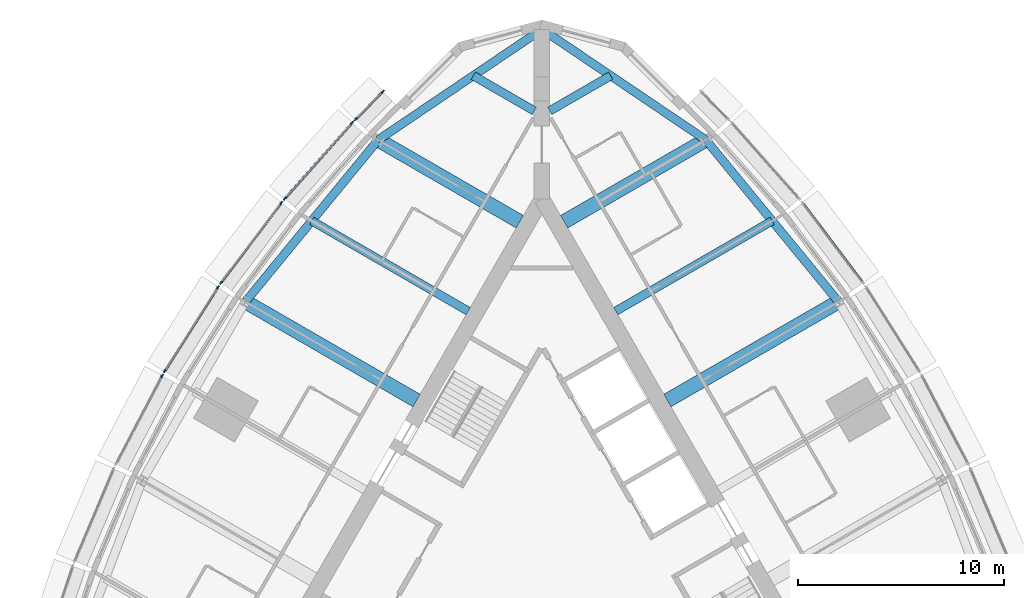
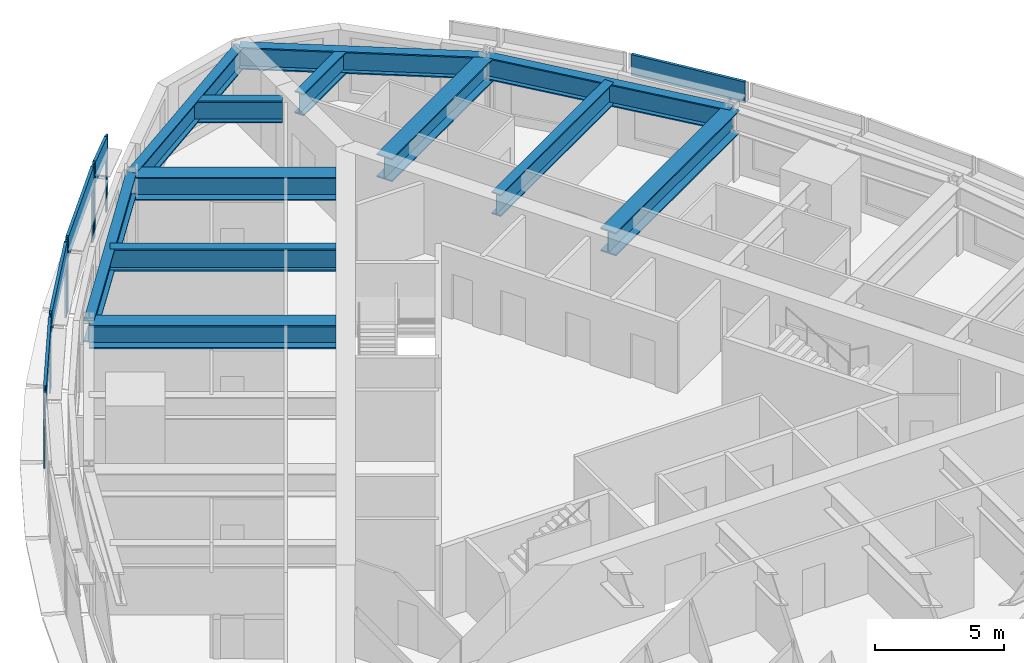
# One storey, part 5 of 15: 14 members, 12 beams, 6 elements without a shape of their own.
"""IFC4 building model written with IfcOpenShell, lengths in metres."""

from ifc_helpers import new_model, si_unit, direction, frame, origin, origin_2d, place, context, subcontext, project, spatial, rectangle, i_section, extrude, material, material_profile, profile_set, type_object, element, aggregate, save


model = new_model("IFC4")

# Units and contexts
model_context = context("Model", 3, precision=1e-05, world=origin(), true_north=direction((0.0, 1.0)))
body_context = subcontext(model_context, "Body", "Model", "MODEL_VIEW")
ifc_project = project(units=[si_unit("LENGTHUNIT", "METRE"), si_unit("AREAUNIT", "SQUARE_METRE"), si_unit("VOLUMEUNIT", "CUBIC_METRE"), si_unit("PLANEANGLEUNIT", "RADIAN"), si_unit("MASSUNIT", "GRAM", prefix="KILO")], contexts=[model_context])

# Site, building, storey
site_placement = place(None, origin())
site = spatial("IfcSite", under=ifc_project, at=site_placement, CompositionType="ELEMENT")
building_placement = place(site_placement, origin())
building = spatial("IfcBuilding", under=site, at=building_placement, Name="Trikona Tower", CompositionType="ELEMENT")
storey_placement = place(building_placement, frame((0.0, 0.0, 229.699951171875)))
storey = spatial("IfcBuildingStorey", under=building, at=storey_placement, Name="L61", CompositionType="ELEMENT", Elevation=229.699951171875)

# Curtain wall, members
ifc_material_1 = material(Name="Aluminium curtain wall system", Category="aluminium")
curtain_wall_type = type_object("IfcCurtainWallType", Name="Curtain wall DS3S", PredefinedType="NOTDEFINED", material=ifc_material_1)
curtain_wall_1_placement = place(storey_placement, origin())
curtain_wall_1 = element("IfcCurtainWall", 1, at=curtain_wall_1_placement, inside=storey, type_object=curtain_wall_type, Name="Curtain wall DS3S L61", PredefinedType="NOTDEFINED")
ifc_material_2 = material(Name="Aluminium mullion, pale anodised", Category="aluminium")
ifc_material_profile_1 = material_profile(ifc_material_2, rectangle(XDim=0.070068359375, YDim=0.179931640625, at=origin_2d()), Name="MUL-DS3S")
ifc_profile_set_1 = profile_set([ifc_material_profile_1], Name="Aluminium mullion, pale anodised")
member_type_1 = type_object("IfcMemberType", Name="Mullion DS3S 70x180", PredefinedType="MULLION", material=ifc_profile_set_1)
member_1_placement = place(storey_placement, frame((-7.7060546875, 24.237548828125, 0.0), z_axis=(0.0, 0.0, 1.0), x_axis=(0.710051900554, -0.704149343903, 0.0)))
member_1 = element("IfcMember", 2, at=member_1_placement, type_object=member_type_1, Name="CW-DS3S mullion 1", PredefinedType="MULLION", context=body_context, shape_type="SweptSolid", body=[
    extrude(rectangle(XDim=0.070068359375, YDim=0.179931640625, at=origin_2d()), origin(), (0.0, 0.0, 1.0), 3.60009765625),
])
member_2_placement = place(storey_placement, frame((-9.028564453125, 22.904052734375, 0.0), z_axis=(0.0, 0.0, 1.0), x_axis=(0.710051900554, -0.704149343903, 0.0)))
member_2 = element("IfcMember", 3, at=member_2_placement, type_object=member_type_1, Name="CW-DS3S mullion 2", PredefinedType="MULLION", context=body_context, shape_type="SweptSolid", body=[
    extrude(rectangle(XDim=0.070068359375, YDim=0.179931640625, at=origin_2d()), origin(), (0.0, 0.0, 1.0), 3.60009765625),
])

curtain_wall_2_placement = place(storey_placement, origin())
curtain_wall_2 = element("IfcCurtainWall", 4, at=curtain_wall_2_placement, inside=storey, type_object=curtain_wall_type, Name="Curtain wall DS3S L61", PredefinedType="NOTDEFINED")
member_3_placement = place(storey_placement, frame((-9.192138671875, 22.729736328125, 0.0), z_axis=(0.0, 0.0, 1.0), x_axis=(0.747402677853, -0.664371309689, 0.0)))
member_3 = element("IfcMember", 5, at=member_3_placement, type_object=member_type_1, Name="CW-DS3S mullion 1", PredefinedType="MULLION", context=body_context, shape_type="SweptSolid", body=[
    extrude(rectangle(XDim=0.070068359375, YDim=0.179931640625, at=origin_2d()), origin(), (0.0, 0.0, 1.0), 3.60009765625),
])
member_4_placement = place(storey_placement, frame((-12.45751953125, 19.056396484375, 0.0), z_axis=(0.0, 0.0, 1.0), x_axis=(0.747402677853, -0.664371309689, 0.0)))
member_4 = element("IfcMember", 6, at=member_4_placement, type_object=member_type_1, Name="CW-DS3S mullion 2", PredefinedType="MULLION", context=body_context, shape_type="SweptSolid", body=[
    extrude(rectangle(XDim=0.070068359375, YDim=0.179931640625, at=origin_2d()), origin(), (0.0, 0.0, 1.0), 3.60009765625),
])

curtain_wall_3_placement = place(storey_placement, origin())
curtain_wall_3 = element("IfcCurtainWall", 7, at=curtain_wall_3_placement, inside=storey, type_object=curtain_wall_type, Name="Curtain wall DS3S L61", PredefinedType="NOTDEFINED")
member_5_placement = place(storey_placement, frame((-12.62353515625, 18.853759765625, 0.0), z_axis=(0.0, 0.0, 1.0), x_axis=(0.798193208724, -0.602401528506, 0.0)))
member_5 = element("IfcMember", 8, at=member_5_placement, type_object=member_type_1, Name="CW-DS3S mullion 1", PredefinedType="MULLION", context=body_context, shape_type="SweptSolid", body=[
    extrude(rectangle(XDim=0.070068359375, YDim=0.179931640625, at=origin_2d()), origin(), (0.0, 0.0, 1.0), 3.60009765625),
])
member_6_placement = place(storey_placement, frame((-15.5439453125, 14.984130859375, 0.0), z_axis=(0.0, 0.0, 1.0), x_axis=(0.798193208724, -0.602401528506, 0.0)))
member_6 = element("IfcMember", 9, at=member_6_placement, type_object=member_type_1, Name="CW-DS3S mullion 2", PredefinedType="MULLION", context=body_context, shape_type="SweptSolid", body=[
    extrude(rectangle(XDim=0.070068359375, YDim=0.179931640625, at=origin_2d()), origin(), (0.0, 0.0, 1.0), 3.60009765625),
])

curtain_wall_4_placement = place(storey_placement, origin())
curtain_wall_4 = element("IfcCurtainWall", 10, at=curtain_wall_4_placement, inside=storey, type_object=curtain_wall_type, Name="Curtain wall DS3S L61", PredefinedType="NOTDEFINED")
member_7_placement = place(storey_placement, frame((-15.69384765625, 14.767578125, 0.0), z_axis=(0.0, 0.0, 1.0), x_axis=(0.844727131858, -0.535197227854, 0.0)))
member_7 = element("IfcMember", 11, at=member_7_placement, type_object=member_type_1, Name="CW-DS3S mullion 1", PredefinedType="MULLION", context=body_context, shape_type="SweptSolid", body=[
    extrude(rectangle(XDim=0.070068359375, YDim=0.179931640625, at=origin_2d()), origin(), (0.0, 0.0, 1.0), 3.60009765625),
])
member_8_placement = place(storey_placement, frame((-18.2705078125, 10.700927734375, 0.0), z_axis=(0.0, 0.0, 1.0), x_axis=(0.844727131858, -0.535197227854, 0.0)))
member_8 = element("IfcMember", 12, at=member_8_placement, type_object=member_type_1, Name="CW-DS3S mullion 2", PredefinedType="MULLION", context=body_context, shape_type="SweptSolid", body=[
    extrude(rectangle(XDim=0.070068359375, YDim=0.179931640625, at=origin_2d()), origin(), (0.0, 0.0, 1.0), 3.60009765625),
])

# Curtain wall, member
curtain_wall_5_placement = place(storey_placement, origin())
curtain_wall_5 = element("IfcCurtainWall", 13, at=curtain_wall_5_placement, inside=storey, type_object=curtain_wall_type, Name="Curtain wall DS3S L61", PredefinedType="NOTDEFINED")
member_9_placement = place(storey_placement, frame((-18.40234375, 10.472412109375, 0.0), z_axis=(0.0, 0.0, 1.0), x_axis=(0.885862390527, -0.463948084434, 0.0)))
member_9 = element("IfcMember", 14, at=member_9_placement, type_object=member_type_1, Name="CW-DS3S mullion 1", PredefinedType="MULLION", context=body_context, shape_type="SweptSolid", body=[
    extrude(rectangle(XDim=0.070068359375, YDim=0.179931640625, at=origin_2d()), origin(), (0.0, 0.0, 1.0), 3.60009765625),
])
aggregate(curtain_wall_5, [member_9])

# Beams
ifc_material_3 = material(Name="Steel ASTM A992 Grade 50", Category="steel")
ifc_material_profile_2 = material_profile(ifc_material_3, i_section(OverallWidth=0.699951171875, OverallDepth=1.10009765625, WebThickness=0.0400390625, FlangeThickness=0.06005859375, at=origin_2d()), Name="PG1100X700")
ifc_profile_set_2 = profile_set([ifc_material_profile_2], Name="Steel ASTM A992 Grade 50")
beam_type_1 = type_object("IfcBeamType", Name="Steel beam PG1100x700 (belt chord radial)", PredefinedType="BEAM", material=ifc_profile_set_2)
beam_1_placement = place(storey_placement, frame((6.07470703125, 9.28076171875, 2.800048828125), z_axis=(0.866025863714, 0.499999203377, 0.0), x_axis=(-0.499999203377, 0.866025863714, 0.0)))
element("IfcBeam", 15, at=beam_1_placement, inside=storey, type_object=beam_type_1, Name="Floor beam L62 F2 u5", PredefinedType="BEAM", context=body_context, shape_type="SweptSolid", body=[
    extrude(i_section(OverallWidth=0.699951171875, OverallDepth=1.10009765625, WebThickness=0.0400390625, FlangeThickness=0.06005859375, at=origin_2d()), origin(), (0.0, 0.0, 1.0), 9.57080078125),
])
for number, where, z_axis, x_axis, name in (
    (16, (1.07470703125, 17.94091796875, 2.800048828125), (0.866019853763, 0.500009612796, 0.0), (-0.500009612796, 0.866019853763, 0.0), "Floor beam L62 F2 u15"),
    (17, (-1.07470703125, 17.94091796875, 2.800048828125), (-0.866019853763, 0.500009612796, 0.0), (-0.500009612796, -0.866019853763, 0.0), "Floor beam L62 F3 u-15"),
):
    element("IfcBeam", number, at=place(storey_placement, frame(where, z_axis=z_axis, x_axis=x_axis)), inside=storey, type_object=beam_type_1, Name=name, PredefinedType="BEAM", context=body_context, shape_type="SweptSolid", body=[
        extrude(i_section(OverallWidth=0.699951171875, OverallDepth=1.10009765625, WebThickness=0.0400390625, FlangeThickness=0.06005859375, at=origin_2d()), origin(), (0.0, 0.0, 1.0), 7.923583984375),
    ])
beam_2_placement = place(storey_placement, frame((-6.07470703125, 9.28076171875, 2.800048828125), z_axis=(-0.866025863714, 0.499999203377, 0.0), x_axis=(-0.499999203377, -0.866025863714, 0.0)))
element("IfcBeam", 18, at=beam_2_placement, inside=storey, type_object=beam_type_1, Name="Floor beam L62 F3 u-5", PredefinedType="BEAM", context=body_context, shape_type="SweptSolid", body=[
    extrude(i_section(OverallWidth=0.699951171875, OverallDepth=1.10009765625, WebThickness=0.0400390625, FlangeThickness=0.06005859375, at=origin_2d()), origin(), (0.0, 0.0, 1.0), 9.57080078125),
])
ifc_material_4 = material(Name="Steel ASTM A992 Grade 50", Category="steel")
ifc_material_profile_3 = material_profile(ifc_material_4, i_section(OverallWidth=0.408935546875, OverallDepth=1.04150390625, WebThickness=0.031005859375, FlangeThickness=0.055908203125, at=origin_2d()), Name="W40X397")
ifc_profile_set_3 = profile_set([ifc_material_profile_3], Name="Steel ASTM A992 Grade 50")
beam_type_2 = type_object("IfcBeamType", Name="Steel beam W40x397 (plant spandrel)", PredefinedType="SPANDREL", material=ifc_profile_set_3)
beam_3_placement = place(storey_placement, frame((14.36328125, 14.066162109375, 2.829345703125), z_axis=(-0.634105803308, 0.77324629337, 0.0), x_axis=(-0.77324629337, -0.634105803308, 0.0)))
element("IfcBeam", 19, at=beam_3_placement, inside=storey, type_object=beam_type_2, Name="Spandrel beam L62 F2-4", PredefinedType="SPANDREL", context=body_context, shape_type="SweptSolid", body=[
    extrude(i_section(OverallWidth=0.408935546875, OverallDepth=1.04150390625, WebThickness=0.031005859375, FlangeThickness=0.055908203125, at=origin_2d()), origin(), (0.0, 0.0, 1.0), 10.134765625),
])
for number, where, z_axis, x_axis, name in (
    (20, (7.936767578125, 21.90283203125, 2.829345703125), (-0.828725418029, 0.55965541319, 0.0), (-0.55965541319, -0.828725418029, 0.0), "Spandrel beam L62 F2-5"),
    (21, (0.0, 27.2626953125, 2.829345703125), (-0.828725418029, -0.55965541319, 0.0), (0.55965541319, -0.828725418029, 0.0), "Spandrel beam L62 F3-1"),
):
    element("IfcBeam", number, at=place(storey_placement, frame(where, z_axis=z_axis, x_axis=x_axis)), inside=storey, type_object=beam_type_2, Name=name, PredefinedType="SPANDREL", context=body_context, shape_type="SweptSolid", body=[
        extrude(i_section(OverallWidth=0.408935546875, OverallDepth=1.04150390625, WebThickness=0.031005859375, FlangeThickness=0.055908203125, at=origin_2d()), origin(), (0.0, 0.0, 1.0), 9.5771484375),
    ])
beam_4_placement = place(storey_placement, frame((-7.936767578125, 21.90283203125, 2.829345703125), z_axis=(-0.634105803308, -0.77324629337, 0.0), x_axis=(0.77324629337, -0.634105803308, 0.0)))
element("IfcBeam", 22, at=beam_4_placement, inside=storey, type_object=beam_type_2, Name="Spandrel beam L62 F3-2", PredefinedType="SPANDREL", context=body_context, shape_type="SweptSolid", body=[
    extrude(i_section(OverallWidth=0.408935546875, OverallDepth=1.04150390625, WebThickness=0.031005859375, FlangeThickness=0.055908203125, at=origin_2d()), origin(), (0.0, 0.0, 1.0), 10.134765625),
])
ifc_material_5 = material(Name="Steel ASTM A992 Grade 50", Category="steel")
ifc_material_profile_4 = material_profile(ifc_material_5, i_section(OverallWidth=0.408935546875, OverallDepth=1.04150390625, WebThickness=0.031005859375, FlangeThickness=0.055908203125, at=origin_2d()), Name="W40X397")
ifc_profile_set_4 = profile_set([ifc_material_profile_4], Name="Steel ASTM A992 Grade 50")
beam_type_3 = type_object("IfcBeamType", Name="Steel beam W40x397 (plant)", PredefinedType="BEAM", material=ifc_profile_set_4)
for number, where, z_axis, x_axis, name in (
    (23, (3.57470703125, 13.61083984375, 2.829345703125), (0.866013609749, 0.500020427312, 0.0), (-0.500020427312, 0.866013609749, 0.0), "Floor beam L62 F2 u10"),
    (24, (-3.57470703125, 13.61083984375, 2.829345703125), (-0.866013609749, 0.500020427312, 0.0), (-0.500020427312, -0.866013609749, 0.0), "Floor beam L62 F3 u-10"),
):
    element("IfcBeam", number, at=place(storey_placement, frame(where, z_axis=z_axis, x_axis=x_axis)), inside=storey, type_object=beam_type_3, Name=name, PredefinedType="BEAM", context=body_context, shape_type="SweptSolid", body=[
        extrude(i_section(OverallWidth=0.408935546875, OverallDepth=1.04150390625, WebThickness=0.031005859375, FlangeThickness=0.055908203125, at=origin_2d()), origin(), (0.0, 0.0, 1.0), 8.747314453125),
    ])
ifc_material_6 = material(Name="Steel ASTM A992 Grade 50", Category="steel")
ifc_material_profile_5 = material_profile(ifc_material_6, i_section(OverallWidth=0.411376953125, OverallDepth=1.049072265625, WebThickness=0.033935546875, FlangeThickness=0.06005859375, at=origin_2d()), Name="W40X431")
ifc_profile_set_5 = profile_set([ifc_material_profile_5], Name="Steel ASTM A992 Grade 50")
beam_type_4 = type_object("IfcBeamType", Name="Steel beam W40x431 (plant wedge)", PredefinedType="BEAM", material=ifc_profile_set_5)
for number, where, z_axis, x_axis, name in (
    (25, (0.375, 23.310546875, 2.825439453125), (0.866027000698, 0.499997234054, 0.0), (-0.499997234054, 0.866027000698, 0.0), "Floor beam L62 F2 u20"),
    (26, (-0.375, 23.310546875, 2.825439453125), (-0.866027000698, 0.499997234054, 0.0), (-0.499997234054, -0.866027000698, 0.0), "Floor beam L62 F3 u-20"),
):
    element("IfcBeam", number, at=place(storey_placement, frame(where, z_axis=z_axis, x_axis=x_axis)), inside=storey, type_object=beam_type_4, Name=name, PredefinedType="BEAM", context=body_context, shape_type="SweptSolid", body=[
        extrude(i_section(OverallWidth=0.411376953125, OverallDepth=1.049072265625, WebThickness=0.033935546875, FlangeThickness=0.06005859375, at=origin_2d()), origin(), (0.0, 0.0, 1.0), 3.40966796875),
    ])

# Curtain wall, member
curtain_wall_6_placement = place(storey_placement, origin())
curtain_wall_6 = element("IfcCurtainWall", 27, at=curtain_wall_6_placement, inside=storey, type_object=curtain_wall_type, Name="Curtain wall DS3S L61", PredefinedType="NOTDEFINED")
ifc_material_7 = material(Name="Aluminium transom, pale anodised", Category="aluminium")
ifc_material_profile_6 = material_profile(ifc_material_7, rectangle(XDim=0.1201171875, YDim=1.0, at=origin_2d()), Name="TRN-DS3S")
ifc_profile_set_6 = profile_set([ifc_material_profile_6], Name="Aluminium transom, pale anodised")
member_type_2 = type_object("IfcMemberType", Name="Transom DS3S 1000x120", PredefinedType="USERDEFINED", material=ifc_profile_set_6)
member_10_placement = place(storey_placement, frame((15.52294921875, 15.011962890625, 3.10009765625), z_axis=(-0.602400763927, 0.798193785756, 0.0), x_axis=(-0.798193785756, -0.602400763927, 0.0)))
member_10 = element("IfcMember", 28, at=member_10_placement, type_object=member_type_2, Name="CW-DS3S transom 1.1", ObjectType="TRANSOM", PredefinedType="USERDEFINED", context=body_context, shape_type="SweptSolid", body=[
    extrude(rectangle(XDim=0.1201171875, YDim=1.0, at=origin_2d()), origin(), (0.0, 0.0, 1.0), 4.7783203125),
])
aggregate(curtain_wall_6, [member_10])

# Member
member_11_placement = place(storey_placement, frame((-7.73046875, 24.212890625, 3.10009765625), z_axis=(-0.704130668076, -0.710070420645, 0.0), x_axis=(0.710070420645, -0.704130668076, 0.0)))
member_11 = element("IfcMember", 29, at=member_11_placement, type_object=member_type_2, Name="CW-DS3S transom 1.1", ObjectType="TRANSOM", PredefinedType="USERDEFINED", context=body_context, shape_type="SweptSolid", body=[
    extrude(rectangle(XDim=0.1201171875, YDim=1.0, at=origin_2d()), origin(), (0.0, 0.0, 1.0), 1.80859375),
])

aggregate(curtain_wall_1, [member_1, member_2, member_11])

member_12_placement = place(storey_placement, frame((-9.21533203125, 22.70361328125, 3.10009765625), z_axis=(-0.66436383883, -0.747409318684, 0.0), x_axis=(0.747409318684, -0.66436383883, 0.0)))
member_12 = element("IfcMember", 30, at=member_12_placement, type_object=member_type_2, Name="CW-DS3S transom 1.1", ObjectType="TRANSOM", PredefinedType="USERDEFINED", context=body_context, shape_type="SweptSolid", body=[
    extrude(rectangle(XDim=0.1201171875, YDim=1.0, at=origin_2d()), origin(), (0.0, 0.0, 1.0), 4.844970703125),
])

aggregate(curtain_wall_2, [member_3, member_4, member_12])

member_13_placement = place(storey_placement, frame((-12.64453125, 18.825927734375, 3.10009765625), z_axis=(-0.602400763927, -0.798193785756, 0.0), x_axis=(0.798193785756, -0.602400763927, 0.0)))
member_13 = element("IfcMember", 31, at=member_13_placement, type_object=member_type_2, Name="CW-DS3S transom 1.1", ObjectType="TRANSOM", PredefinedType="USERDEFINED", context=body_context, shape_type="SweptSolid", body=[
    extrude(rectangle(XDim=0.1201171875, YDim=1.0, at=origin_2d()), origin(), (0.0, 0.0, 1.0), 4.7783203125),
])

aggregate(curtain_wall_3, [member_5, member_6, member_13])

member_14_placement = place(storey_placement, frame((-15.712646484375, 14.738037109375, 3.10009765625), z_axis=(-0.535192866729, -0.844729894938, 0.0), x_axis=(0.844729894938, -0.535192866729, 0.0)))
member_14 = element("IfcMember", 32, at=member_14_placement, type_object=member_type_2, Name="CW-DS3S transom 1.1", ObjectType="TRANSOM", PredefinedType="USERDEFINED", context=body_context, shape_type="SweptSolid", body=[
    extrude(rectangle(XDim=0.1201171875, YDim=1.0, at=origin_2d()), origin(), (0.0, 0.0, 1.0), 4.744140625),
])

aggregate(curtain_wall_4, [member_7, member_8, member_14])

save(model, "model.ifc")
